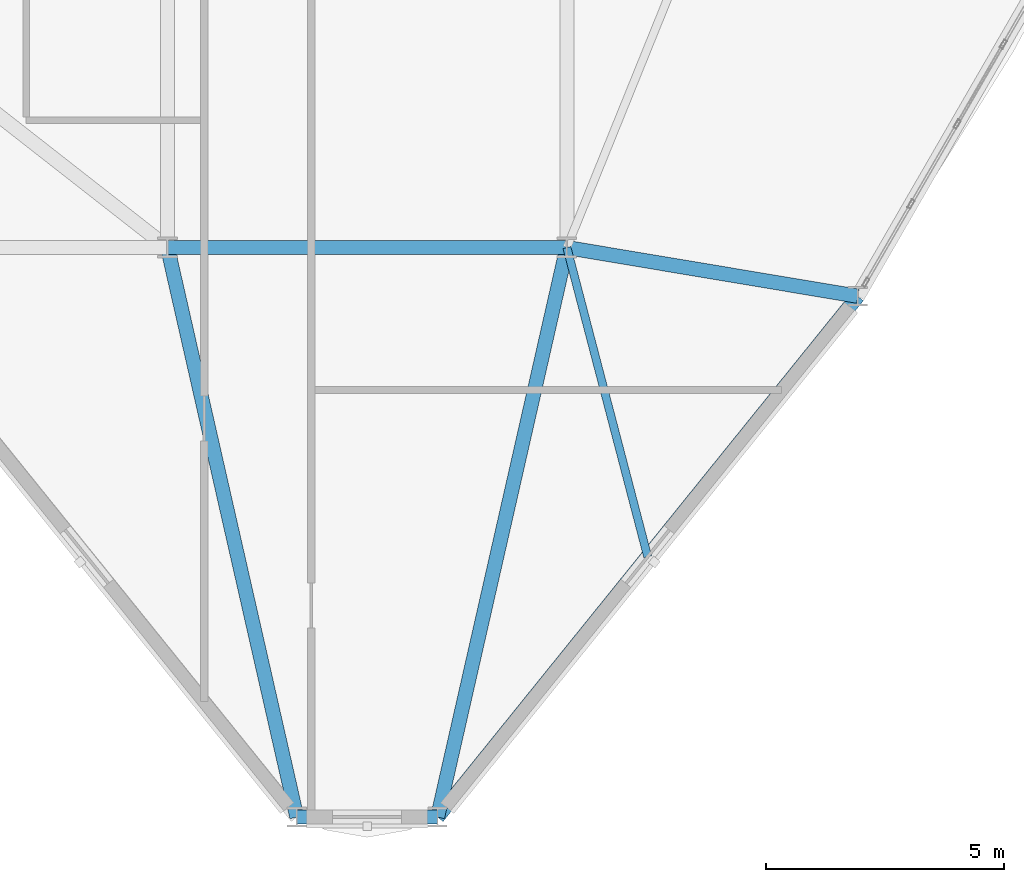
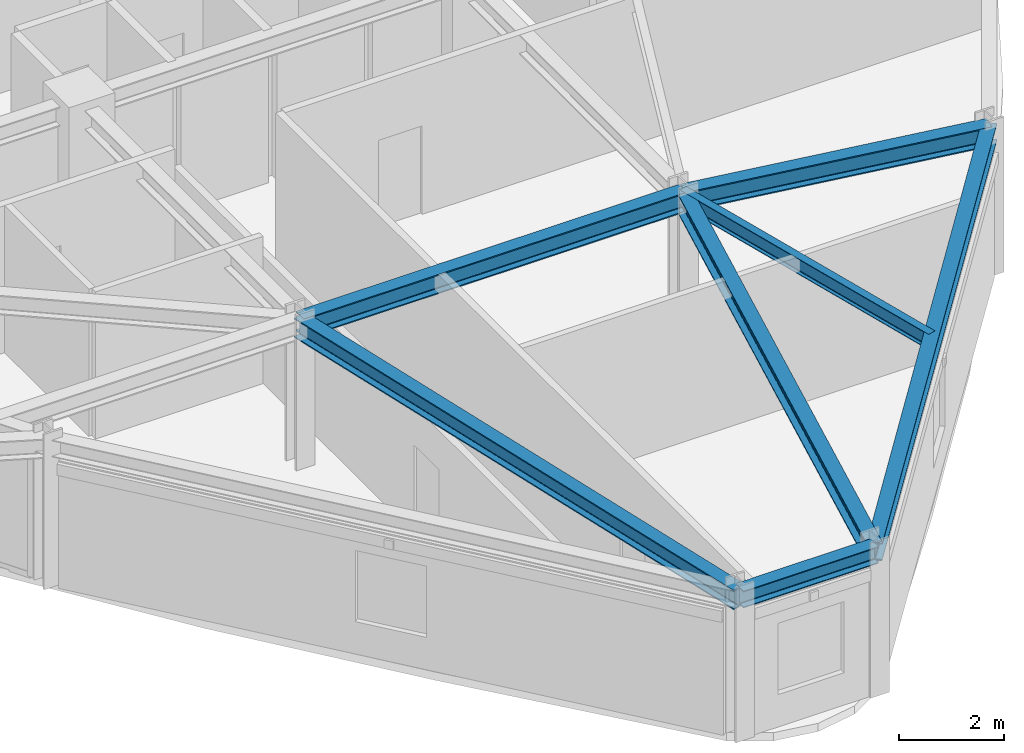
# One storey, part 3 of 16: 7 beams.
"""IFC4 building model written with IfcOpenShell, lengths in metres."""

from ifc_helpers import new_model, si_unit, derived_unit, direction, frame, origin, origin_2d, place, context, subcontext, project, spatial, i_section, extrude, source, transform, mapped, material, material_profile, profile_set, type_object, element, save


model = new_model("IFC4")

# Units and contexts
model_context = context("Model", 3, precision=1e-05, world=origin(), true_north=direction((0.0, 1.0)))
body_context = subcontext(model_context, "Body", "Model", "MODEL_VIEW")
ifc_project = project(units=[si_unit("LENGTHUNIT", "METRE"), si_unit("AREAUNIT", "SQUARE_METRE"), si_unit("VOLUMEUNIT", "CUBIC_METRE"), si_unit("PLANEANGLEUNIT", "RADIAN"), si_unit("MASSUNIT", "GRAM", prefix="KILO"), derived_unit("THERMALTRANSMITTANCEUNIT", [(si_unit("POWERUNIT", "WATT"), 1), (si_unit("LENGTHUNIT", "METRE"), -2), (si_unit("THERMODYNAMICTEMPERATUREUNIT", "KELVIN"), -1)])], contexts=[model_context])

# Site, building, storey
site_placement = place(None, origin())
site = spatial("IfcSite", under=ifc_project, at=site_placement, CompositionType="ELEMENT")
building_placement = place(site_placement, origin())
building = spatial("IfcBuilding", under=site, at=building_placement, Name="Korsvarv Bourse and Concert Hall", CompositionType="ELEMENT")
storey_placement = place(building_placement, frame((0.0, 0.0, 220.199951171875)))
storey = spatial("IfcBuildingStorey", under=building, at=storey_placement, Name="L57", CompositionType="ELEMENT", Elevation=220.199951171875)

# Beams
ifc_material = material(Name="Steel S355", Category="steel")
ifc_material_profile_1 = material_profile(ifc_material, i_section(OverallWidth=0.300048828125, OverallDepth=0.449951171875, WebThickness=0.013916015625, FlangeThickness=0.02587890625, FilletRadius=0.02099609375, at=origin_2d()), Name="HEB 450")
ifc_profile_set_1 = profile_set([ifc_material_profile_1], Name="Steel S355")
beam_type_1 = type_object("IfcBeamType", Name="BM-HEB450", PredefinedType="SPANDREL", material=ifc_profile_set_1)
shared_shape_1 = source(origin(), body_context, "Body", "SweptSolid", [
    extrude(i_section(OverallWidth=0.300048828125, OverallDepth=0.449951171875, WebThickness=0.013916015625, FlangeThickness=0.02587890625, FilletRadius=0.02099609375, at=origin_2d()), origin(), (0.0, 0.0, 1.0), 8.39990234375),
])
beam_1_placement = place(storey_placement, frame((36.0, 24.0, 3.18505859375), z_axis=(1.0, 0.0, 0.0), x_axis=(0.0, 1.0, 0.0)))
element("IfcBeam", 1, at=beam_1_placement, inside=storey, type_object=beam_type_1, Name="L57 beam B-08", PredefinedType="SPANDREL", context=body_context, shape_type="MappedRepresentation", body=[
    mapped(shared_shape_1, transform((0.0, 0.0, 0.0), scale=1.0)),
])
ifc_material_profile_2 = material_profile(ifc_material, i_section(OverallWidth=0.300048828125, OverallDepth=0.389892578125, WebThickness=0.010986328125, FlangeThickness=0.01904296875, FilletRadius=0.02099609375, at=origin_2d()), Name="HEA 400")
ifc_profile_set_2 = profile_set([ifc_material_profile_2], Name="Steel S355")
beam_type_2 = type_object("IfcBeamType", Name="BM-HEA400", PredefinedType="BEAM", material=ifc_profile_set_2)
shared_shape_2 = source(origin(), body_context, "Body", "SweptSolid", [
    extrude(i_section(OverallWidth=0.300048828125, OverallDepth=0.389892578125, WebThickness=0.010986328125, FlangeThickness=0.01904296875, FilletRadius=0.02099609375, at=origin_2d()), origin(), (0.0, 0.0, 1.0), 2.95947265625),
])
beam_2_placement = place(storey_placement, frame((38.72021484375, 12.020263671875, 3.215087890625), z_axis=(1.0, 0.0, 0.0), x_axis=(0.0, 1.0, 0.0)))
element("IfcBeam", 2, at=beam_2_placement, inside=storey, type_object=beam_type_2, Name="L57 beam B-11", PredefinedType="BEAM", context=body_context, shape_type="MappedRepresentation", body=[
    mapped(shared_shape_2, transform((0.0, 0.0, 0.0), scale=1.0)),
])
shared_shape_3 = source(origin(), body_context, "Body", "SweptSolid", [
    extrude(i_section(OverallWidth=0.300048828125, OverallDepth=0.389892578125, WebThickness=0.010986328125, FlangeThickness=0.01904296875, FilletRadius=0.02099609375, at=origin_2d()), origin(), (0.0, 0.0, 1.0), 14.077880859375),
])
beam_3_placement = place(storey_placement, frame((41.6796875, 12.020263671875, 3.215087890625), z_axis=(0.627997157863, 0.778215631889, 0.0), x_axis=(-0.778215631889, 0.627997157863, 0.0)))
element("IfcBeam", 3, at=beam_3_placement, inside=storey, type_object=beam_type_2, Name="L57 beam B-11", PredefinedType="BEAM", context=body_context, shape_type="MappedRepresentation", body=[
    mapped(shared_shape_3, transform((0.0, 0.0, 0.0), scale=1.0)),
])
shared_shape_4 = source(origin(), body_context, "Body", "SweptSolid", [
    extrude(i_section(OverallWidth=0.300048828125, OverallDepth=0.449951171875, WebThickness=0.013916015625, FlangeThickness=0.02587890625, FilletRadius=0.02099609375, at=origin_2d()), origin(), (0.0, 0.0, 1.0), 12.28466796875),
])
for number, where, z_axis, x_axis, name in (
    (4, (38.72021484375, 12.020263671875, 3.18505859375), (-0.221431265843, 0.975175981301, 0.0), (-0.975175981301, -0.221431265843, 0.0), "L57 beam B-08"),
    (5, (41.6796875, 12.020263671875, 3.18505859375), (0.221431265843, 0.975175981301, 0.0), (-0.975175981301, 0.221431265843, 0.0), "L57 beam B-08"),
):
    element("IfcBeam", number, at=place(storey_placement, frame(where, z_axis=z_axis, x_axis=x_axis)), inside=storey, type_object=beam_type_1, Name=name, PredefinedType="SPANDREL", context=body_context, shape_type="MappedRepresentation", body=[
        mapped(shared_shape_4, transform((0.0, 0.0, 0.0), scale=1.0)),
    ])
shared_shape_5 = source(origin(), body_context, "Body", "SweptSolid", [
    extrude(i_section(OverallWidth=0.300048828125, OverallDepth=0.449951171875, WebThickness=0.013916015625, FlangeThickness=0.02587890625, FilletRadius=0.02099609375, at=origin_2d()), origin(), (0.0, 0.0, 1.0), 6.205810546875),
])
beam_4_placement = place(storey_placement, frame((50.5205078125, 22.975830078125, 3.18505859375), z_axis=(-0.986287389578, 0.165036920594, 0.0), x_axis=(-0.165036920594, -0.986287389578, 0.0)))
element("IfcBeam", 6, at=beam_4_placement, inside=storey, type_object=beam_type_1, Name="L57 beam B-08", PredefinedType="SPANDREL", context=body_context, shape_type="MappedRepresentation", body=[
    mapped(shared_shape_5, transform((0.0, 0.0, 0.0), scale=1.0)),
])
ifc_material_profile_3 = material_profile(ifc_material, i_section(OverallWidth=0.169921875, OverallDepth=0.360107421875, WebThickness=0.008056640625, FlangeThickness=0.0126953125, FilletRadius=0.01806640625, at=origin_2d()), Name="IPE 360")
ifc_profile_set_3 = profile_set([ifc_material_profile_3], Name="Steel S355")
beam_type_3 = type_object("IfcBeamType", Name="BM-IPE360", PredefinedType="JOIST", material=ifc_profile_set_3)
shared_shape_6 = source(origin(), body_context, "Body", "SweptSolid", [
    extrude(i_section(OverallWidth=0.169921875, OverallDepth=0.360107421875, WebThickness=0.008056640625, FlangeThickness=0.0126953125, FilletRadius=0.01806640625, at=origin_2d()), origin(), (0.0, 0.0, 1.0), 6.720458984375),
])
beam_5_placement = place(storey_placement, frame((46.10009765625, 17.498046875, 3.22998046875), z_axis=(-0.252983803628, 0.967470513815, 0.0), x_axis=(-0.967470513815, -0.252983803628, 0.0)))
element("IfcBeam", 7, at=beam_5_placement, inside=storey, type_object=beam_type_3, Name="L57 beam J-06", PredefinedType="JOIST", context=body_context, shape_type="MappedRepresentation", body=[
    mapped(shared_shape_6, transform((0.0, 0.0, 0.0), scale=1.0)),
])

save(model, "model.ifc")
